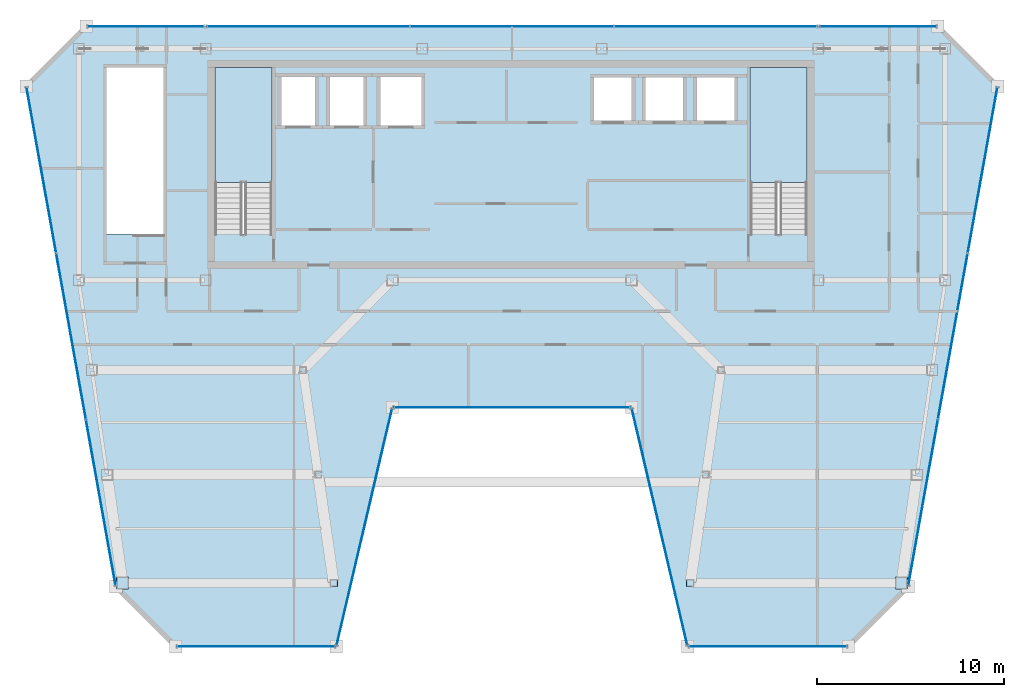
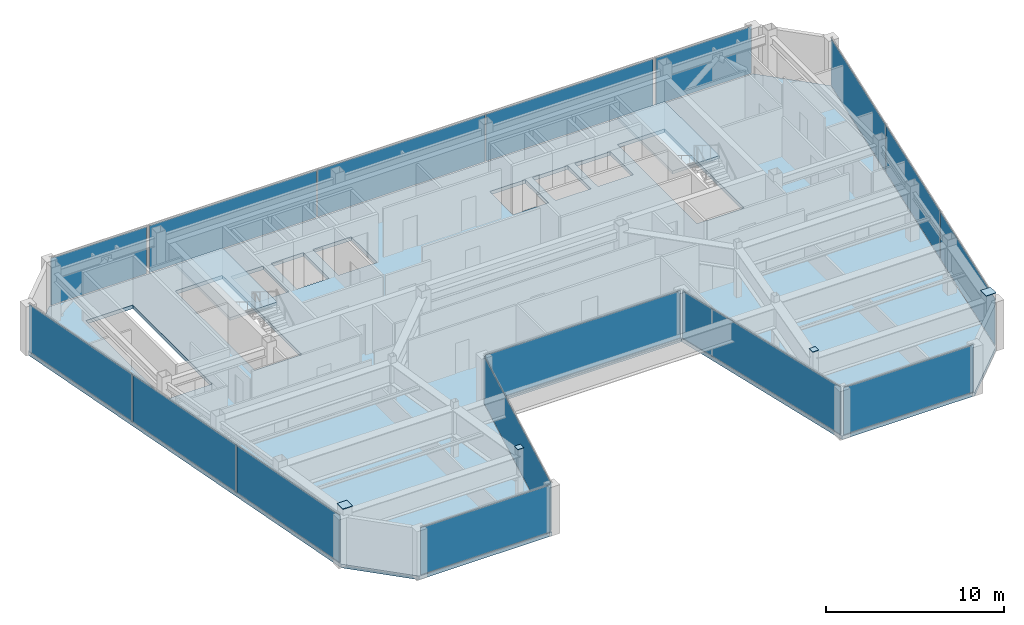
# One storey, part 23 of 30: 20 plates, 3 slabs, 12 elements without a shape of their own.
"""IFC4 building model written with IfcOpenShell, lengths in metres."""

from ifc_helpers import new_model, si_unit, direction, frame, origin, origin_2d, place, context, subcontext, project, spatial, polyline, rectangle, outline, extrude, material, layer, layer_set, type_object, element, aggregate, save


model = new_model("IFC4")

# Units and contexts
model_context = context("Model", 3, precision=1e-05, world=origin(), true_north=direction((0.0, 1.0)))
body_context = subcontext(model_context, "Body", "Model", "MODEL_VIEW")
ifc_project = project(units=[si_unit("LENGTHUNIT", "METRE"), si_unit("AREAUNIT", "SQUARE_METRE"), si_unit("VOLUMEUNIT", "CUBIC_METRE"), si_unit("PLANEANGLEUNIT", "RADIAN"), si_unit("MASSUNIT", "GRAM", prefix="KILO")], contexts=[model_context])

# Site, building, storey
site_placement = place(None, origin())
site = spatial("IfcSite", under=ifc_project, at=site_placement, CompositionType="ELEMENT")
building_placement = place(site_placement, origin())
building = spatial("IfcBuilding", under=site, at=building_placement, Name="Saevonmaru Cultural Tower", CompositionType="ELEMENT")
storey_placement = place(building_placement, frame((0.0, 0.0, 272.39990234375)))
storey = spatial("IfcBuildingStorey", under=building, at=storey_placement, Name="L64", CompositionType="ELEMENT", Elevation=272.39990234375)

# Plates
ifc_material_1 = material(Name="Steel HSA600 (600 MPa)", Category="steel")
ifc_layer_1 = layer(ifc_material_1, 0.0400390625, Name="Steel HSA600 (600 MPa)")
ifc_layer_set_1 = layer_set([ifc_layer_1], Name="Steel HSA600 (600 MPa)")
plate_type_1 = type_object("IfcPlateType", Name="PL-CAP-350", PredefinedType="USERDEFINED", material=ifc_layer_set_1)
for number, where, z_axis, x_axis, name in (
    (1, (39.5458984375, 26.199951171875, 3.795166015625), (0.0, 0.0, 1.0), (1.0, 0.0, 0.0), "Column head cap plate TC-EI-Y262 L64"),
    (2, (20.4541015625, 26.199951171875, 3.795166015625), (0.0, 0.0, 1.0), (1.0, 0.0, 0.0), "Column head cap plate TC-WI-Y262 L64"),
):
    element("IfcPlate", number, at=place(storey_placement, frame(where, z_axis=z_axis, x_axis=x_axis)), inside=storey, type_object=plate_type_1, Name=name, ObjectType="CAP_PLATE", PredefinedType="USERDEFINED", context=body_context, shape_type="SweptSolid", body=[
        extrude(rectangle(XDim=0.389892578125, YDim=0.389892578125, at=origin_2d()), origin(), (0.0, 0.0, 1.0), 0.0400390625),
    ])
ifc_layer_2 = layer(ifc_material_1, 0.0400390625, Name="Steel HSA600 (600 MPa)")
ifc_layer_set_2 = layer_set([ifc_layer_2], Name="Steel HSA600 (600 MPa)")
plate_type_2 = type_object("IfcPlateType", Name="PL-CAP-600", PredefinedType="USERDEFINED", material=ifc_layer_set_2)
for number, where, z_axis, x_axis, name in (
    (3, (50.845947265625, 26.199951171875, 3.795166015625), (0.0, 0.0, 1.0), (1.0, 0.0, 0.0), "Column head cap plate TC-EO-Y262 L64"),
    (4, (9.154052734375, 26.199951171875, 3.795166015625), (0.0, 0.0, 1.0), (1.0, 0.0, 0.0), "Column head cap plate TC-WO-Y262 L64"),
):
    element("IfcPlate", number, at=place(storey_placement, frame(where, z_axis=z_axis, x_axis=x_axis)), inside=storey, type_object=plate_type_2, Name=name, ObjectType="CAP_PLATE", PredefinedType="USERDEFINED", context=body_context, shape_type="SweptSolid", body=[
        extrude(rectangle(XDim=0.639892578125, YDim=0.639892578125, at=origin_2d()), origin(), (0.0, 0.0, 1.0), 0.0400390625),
    ])

# Curtain wall, plate
ifc_material_2 = material(Name="Satin Bronze Anodised Aluminium", Category="aluminium")
curtain_wall_type = type_object("IfcCurtainWallType", Name="CW-TYP-B", PredefinedType="NOTDEFINED", material=ifc_material_2)
curtain_wall_1_placement = place(storey_placement, origin())
curtain_wall_1 = element("IfcCurtainWall", 5, at=curtain_wall_1_placement, inside=storey, type_object=curtain_wall_type, Name="L64 Unitised Curtain Wall E2", PredefinedType="NOTDEFINED")
ifc_material_3 = material(Name="Triple Silver Low-E Insulating Glass", Category="glass")
ifc_layer_3 = layer(ifc_material_3, 0.035888671875, Name="Triple Silver Low-E Insulating Glass")
ifc_layer_set_3 = layer_set([ifc_layer_3], Name="Triple Silver Low-E Insulating Glass")
plate_type_3 = type_object("IfcPlateType", Name="PN-GLZ-IGU", PredefinedType="CURTAIN_PANEL", material=ifc_layer_set_3)
plate_1_placement = place(storey_placement, frame((16.295654296875, 22.800048828125, 0.06689453125), z_axis=(0.0, 0.0, 1.0), x_axis=(1.0, 0.0, 0.0)))
plate_1 = element("IfcPlate", 6, at=plate_1_placement, type_object=plate_type_3, Name="CW-TW-L64-E2 panel 1.1", PredefinedType="CURTAIN_PANEL", context=body_context, shape_type="SweptSolid", body=[
    extrude(rectangle(XDim=8.410888671875, YDim=0.035888671875, at=origin_2d()), origin(), (0.0, 0.0, 1.0), 3.216064453125),
])
aggregate(curtain_wall_1, [plate_1])

curtain_wall_2_placement = place(storey_placement, origin())
curtain_wall_2 = element("IfcCurtainWall", 7, at=curtain_wall_2_placement, inside=storey, type_object=curtain_wall_type, Name="L64 Unitised Curtain Wall E3", PredefinedType="NOTDEFINED")
plate_2_placement = place(storey_placement, frame((22.095703125, 29.199951171875, 0.06689453125), z_axis=(0.0, 0.0, 1.0), x_axis=(0.228189509449, 0.973616735568, 0.0)))
plate_2 = element("IfcPlate", 8, at=plate_2_placement, type_object=plate_type_3, Name="CW-TW-L64-E3 panel 1.1", PredefinedType="CURTAIN_PANEL", context=body_context, shape_type="SweptSolid", body=[
    extrude(rectangle(XDim=12.9580078125, YDim=0.035888671875, at=origin_2d()), origin(), (0.0, 0.0, 1.0), 3.216064453125),
])
aggregate(curtain_wall_2, [plate_2])

curtain_wall_3_placement = place(storey_placement, origin())
curtain_wall_3 = element("IfcCurtainWall", 9, at=curtain_wall_3_placement, inside=storey, type_object=curtain_wall_type, Name="L64 Unitised Curtain Wall E4", PredefinedType="NOTDEFINED")
plate_3_placement = place(storey_placement, frame((30.0, 35.60009765625, 0.06689453125), z_axis=(0.0, 0.0, 1.0), x_axis=(1.0, 0.0, 0.0)))
plate_3 = element("IfcPlate", 10, at=plate_3_placement, type_object=plate_type_3, Name="CW-TW-L64-E4 panel 1.1", PredefinedType="CURTAIN_PANEL", context=body_context, shape_type="SweptSolid", body=[
    extrude(rectangle(XDim=12.619873046875, YDim=0.035888671875, at=origin_2d()), origin(), (0.0, 0.0, 1.0), 3.216064453125),
])
aggregate(curtain_wall_3, [plate_3])

curtain_wall_4_placement = place(storey_placement, origin())
curtain_wall_4 = element("IfcCurtainWall", 11, at=curtain_wall_4_placement, inside=storey, type_object=curtain_wall_type, Name="L64 Unitised Curtain Wall E5", PredefinedType="NOTDEFINED")
plate_4_placement = place(storey_placement, frame((37.904296875, 29.199951171875, 0.06689453125), z_axis=(0.0, 0.0, 1.0), x_axis=(0.228189509449, -0.973616735568, 0.0)))
plate_4 = element("IfcPlate", 12, at=plate_4_placement, type_object=plate_type_3, Name="CW-TW-L64-E5 panel 1.1", PredefinedType="CURTAIN_PANEL", context=body_context, shape_type="SweptSolid", body=[
    extrude(rectangle(XDim=12.9580078125, YDim=0.035888671875, at=origin_2d()), origin(), (0.0, 0.0, 1.0), 3.216064453125),
])
aggregate(curtain_wall_4, [plate_4])

curtain_wall_5_placement = place(storey_placement, origin())
curtain_wall_5 = element("IfcCurtainWall", 13, at=curtain_wall_5_placement, inside=storey, type_object=curtain_wall_type, Name="L64 Unitised Curtain Wall E6", PredefinedType="NOTDEFINED")
plate_5_placement = place(storey_placement, frame((43.704345703125, 22.800048828125, 0.06689453125), z_axis=(0.0, 0.0, 1.0), x_axis=(1.0, 0.0, 0.0)))
plate_5 = element("IfcPlate", 14, at=plate_5_placement, type_object=plate_type_3, Name="CW-TW-L64-E6 panel 1.1", PredefinedType="CURTAIN_PANEL", context=body_context, shape_type="SweptSolid", body=[
    extrude(rectangle(XDim=8.410888671875, YDim=0.035888671875, at=origin_2d()), origin(), (0.0, 0.0, 1.0), 3.216064453125),
])
aggregate(curtain_wall_5, [plate_5])

# Curtain wall, plates
curtain_wall_6_placement = place(storey_placement, origin())
curtain_wall_6 = element("IfcCurtainWall", 15, at=curtain_wall_6_placement, inside=storey, type_object=curtain_wall_type, Name="L64 Unitised Curtain Wall E8", PredefinedType="NOTDEFINED")
plate_6_placement = place(storey_placement, frame((52.0107421875, 30.506103515625, 0.06689453125), z_axis=(0.0, 0.0, 1.0), x_axis=(0.176140740755, 0.984364993001, 0.0)))
plate_6 = element("IfcPlate", 16, at=plate_6_placement, type_object=plate_type_3, Name="CW-TW-L64-E8 panel 1.1", PredefinedType="CURTAIN_PANEL", context=body_context, shape_type="SweptSolid", body=[
    extrude(rectangle(XDim=8.96630859375, YDim=0.035888671875, at=origin_2d()), origin(), (0.0, 0.0, 1.0), 3.216064453125),
])
plate_7_placement = place(storey_placement, frame((53.602294921875, 39.39990234375, 0.06689453125), z_axis=(0.0, 0.0, 1.0), x_axis=(0.176140740755, 0.984364993001, 0.0)))
plate_7 = element("IfcPlate", 17, at=plate_7_placement, type_object=plate_type_3, Name="CW-TW-L64-E8 panel 2.1", PredefinedType="CURTAIN_PANEL", context=body_context, shape_type="SweptSolid", body=[
    extrude(rectangle(XDim=8.96630859375, YDim=0.035888671875, at=origin_2d()), origin(), (0.0, 0.0, 1.0), 3.216064453125),
])
plate_8_placement = place(storey_placement, frame((55.193603515625, 48.2939453125, 0.06689453125), z_axis=(0.0, 0.0, 1.0), x_axis=(0.176140740755, 0.984364993001, 0.0)))
plate_8 = element("IfcPlate", 18, at=plate_8_placement, type_object=plate_type_3, Name="CW-TW-L64-E8 panel 3.1", PredefinedType="CURTAIN_PANEL", context=body_context, shape_type="SweptSolid", body=[
    extrude(rectangle(XDim=8.96630859375, YDim=0.035888671875, at=origin_2d()), origin(), (0.0, 0.0, 1.0), 3.216064453125),
])
aggregate(curtain_wall_6, [plate_6, plate_7, plate_8])

curtain_wall_7_placement = place(storey_placement, origin())
curtain_wall_7 = element("IfcCurtainWall", 19, at=curtain_wall_7_placement, inside=storey, type_object=curtain_wall_type, Name="L64 North Spine Unitised Curtain Wall E10B", PredefinedType="NOTDEFINED")
plate_9_placement = place(storey_placement, frame((40.893310546875, 56.0, 0.06689453125), z_axis=(0.0, 0.0, 1.0), x_axis=(-1.0, 0.0, 0.0)))
plate_9 = element("IfcPlate", 20, at=plate_9_placement, type_object=plate_type_3, Name="CW-TW-L64-E10B panel 1.1", PredefinedType="CURTAIN_PANEL", context=body_context, shape_type="SweptSolid", body=[
    extrude(rectangle(XDim=10.82421875, YDim=0.035888671875, at=origin_2d()), origin(), (0.0, 0.0, 1.0), 3.216064453125),
])
plate_10_placement = place(storey_placement, frame((30.0, 56.0, 0.06689453125), z_axis=(0.0, 0.0, 1.0), x_axis=(-1.0, 0.0, 0.0)))
plate_10 = element("IfcPlate", 21, at=plate_10_placement, type_object=plate_type_3, Name="CW-TW-L64-E10B panel 2.1", PredefinedType="CURTAIN_PANEL", context=body_context, shape_type="SweptSolid", body=[
    extrude(rectangle(XDim=10.82421875, YDim=0.035888671875, at=origin_2d()), origin(), (0.0, 0.0, 1.0), 3.216064453125),
])
plate_11_placement = place(storey_placement, frame((19.106689453125, 56.0, 0.06689453125), z_axis=(0.0, 0.0, 1.0), x_axis=(-1.0, 0.0, 0.0)))
plate_11 = element("IfcPlate", 22, at=plate_11_placement, type_object=plate_type_3, Name="CW-TW-L64-E10B panel 3.1", PredefinedType="CURTAIN_PANEL", context=body_context, shape_type="SweptSolid", body=[
    extrude(rectangle(XDim=10.82421875, YDim=0.035888671875, at=origin_2d()), origin(), (0.0, 0.0, 1.0), 3.216064453125),
])
aggregate(curtain_wall_7, [plate_9, plate_10, plate_11])

curtain_wall_8_placement = place(storey_placement, origin())
curtain_wall_8 = element("IfcCurtainWall", 23, at=curtain_wall_8_placement, inside=storey, type_object=curtain_wall_type, Name="L64 Unitised Curtain Wall E12", PredefinedType="NOTDEFINED")
plate_12_placement = place(storey_placement, frame((4.806396484375, 48.2939453125, 0.06689453125), z_axis=(0.0, 0.0, 1.0), x_axis=(0.176140740755, -0.984364993001, 0.0)))
plate_12 = element("IfcPlate", 24, at=plate_12_placement, type_object=plate_type_3, Name="CW-TW-L64-E12 panel 1.1", PredefinedType="CURTAIN_PANEL", context=body_context, shape_type="SweptSolid", body=[
    extrude(rectangle(XDim=8.96630859375, YDim=0.035888671875, at=origin_2d()), origin(), (0.0, 0.0, 1.0), 3.216064453125),
])
plate_13_placement = place(storey_placement, frame((6.397705078125, 39.39990234375, 0.06689453125), z_axis=(0.0, 0.0, 1.0), x_axis=(0.176140740755, -0.984364993001, 0.0)))
plate_13 = element("IfcPlate", 25, at=plate_13_placement, type_object=plate_type_3, Name="CW-TW-L64-E12 panel 2.1", PredefinedType="CURTAIN_PANEL", context=body_context, shape_type="SweptSolid", body=[
    extrude(rectangle(XDim=8.96630859375, YDim=0.035888671875, at=origin_2d()), origin(), (0.0, 0.0, 1.0), 3.216064453125),
])
plate_14_placement = place(storey_placement, frame((7.9892578125, 30.506103515625, 0.06689453125), z_axis=(0.0, 0.0, 1.0), x_axis=(0.176140740755, -0.984364993001, 0.0)))
plate_14 = element("IfcPlate", 26, at=plate_14_placement, type_object=plate_type_3, Name="CW-TW-L64-E12 panel 3.1", PredefinedType="CURTAIN_PANEL", context=body_context, shape_type="SweptSolid", body=[
    extrude(rectangle(XDim=8.96630859375, YDim=0.035888671875, at=origin_2d()), origin(), (0.0, 0.0, 1.0), 3.216064453125),
])
aggregate(curtain_wall_8, [plate_12, plate_13, plate_14])

# Curtain wall, plate
curtain_wall_9_placement = place(storey_placement, origin())
curtain_wall_9 = element("IfcCurtainWall", 27, at=curtain_wall_9_placement, inside=storey, type_object=curtain_wall_type, Name="L64 East Braced Bay Spandrel Curtain Wall E10A", PredefinedType="NOTDEFINED")
ifc_material_4 = material(Name="Insulated Satin Bronze Aluminium Spandrel Panel", Category="aluminium")
ifc_layer_4 = layer(ifc_material_4, 0.0400390625, Name="Insulated Satin Bronze Aluminium Spandrel Panel")
ifc_layer_set_4 = layer_set([ifc_layer_4], Name="Insulated Satin Bronze Aluminium Spandrel Panel")
plate_type_4 = type_object("IfcPlateType", Name="PN-SPANDREL-BRONZE", PredefinedType="CURTAIN_PANEL", material=ifc_layer_set_4)
plate_15_placement = place(storey_placement, frame((49.60009765625, 56.0, 0.06689453125), z_axis=(0.0, 0.0, 1.0), x_axis=(-1.0, 0.0, 0.0)))
plate_15 = element("IfcPlate", 28, at=plate_15_placement, type_object=plate_type_4, Name="CW-TW-L64-E10A panel 1.1", PredefinedType="CURTAIN_PANEL", context=body_context, shape_type="SweptSolid", body=[
    extrude(rectangle(XDim=6.2109375, YDim=0.035888671875, at=origin_2d()), origin(), (0.0, 0.0, 1.0), 3.216064453125),
])
aggregate(curtain_wall_9, [plate_15])

curtain_wall_10_placement = place(storey_placement, origin())
curtain_wall_10 = element("IfcCurtainWall", 29, at=curtain_wall_10_placement, inside=storey, type_object=curtain_wall_type, Name="L64 West Braced Bay Spandrel Curtain Wall E10C", PredefinedType="NOTDEFINED")
plate_16_placement = place(storey_placement, frame((10.39990234375, 56.0, 0.06689453125), z_axis=(0.0, 0.0, 1.0), x_axis=(-1.0, 0.0, 0.0)))
plate_16 = element("IfcPlate", 30, at=plate_16_placement, type_object=plate_type_4, Name="CW-TW-L64-E10C panel 1.1", PredefinedType="CURTAIN_PANEL", context=body_context, shape_type="SweptSolid", body=[
    extrude(rectangle(XDim=6.2109375, YDim=0.035888671875, at=origin_2d()), origin(), (0.0, 0.0, 1.0), 3.216064453125),
])
aggregate(curtain_wall_10, [plate_16])

# Slab
ifc_material_5 = material(Name="Concrete C40/50", Category="concrete")
ifc_layer_5 = layer(ifc_material_5, 0.25, Name="Concrete C40/50")
ifc_layer_set_5 = layer_set([ifc_layer_5], Name="Concrete C40/50")
slab_type_1 = type_object("IfcSlabType", Name="SL-FLR-250", PredefinedType="FLOOR", material=ifc_layer_set_5)
slab_1_placement = place(storey_placement, frame((0.0, 0.0, -0.25)))
element("IfcSlab", 31, at=slab_1_placement, inside=storey, type_object=slab_type_1, Name="L64 Tower Structural Floor Slab", PredefinedType="FLOOR", context=body_context, shape_type="SweptSolid", body=[
    extrude(outline(polyline([(8.795654296875, 26.0), (11.99560546875, 22.800048828125), (20.595703125, 22.800048828125), (23.595703125, 35.60009765625), (36.404296875, 35.60009765625), (39.404296875, 22.800048828125), (48.00439453125, 22.800048828125), (51.204345703125, 26.0), (56.0, 52.800048828125), (52.800048828125, 56.0), (7.199951171875, 56.0), (4.0, 52.800048828125), (8.795654296875, 26.0)]), holes=[polyline([(45.800048828125, 53.800048828125), (45.800048828125, 44.875), (42.75, 44.875), (42.75, 53.800048828125), (45.800048828125, 53.800048828125)]), polyline([(39.75, 50.800048828125), (39.75, 53.39990234375), (42.050048828125, 53.39990234375), (42.050048828125, 50.800048828125), (39.75, 50.800048828125)]), polyline([(37.0, 50.800048828125), (37.0, 53.39990234375), (39.300048828125, 53.39990234375), (39.300048828125, 50.800048828125), (37.0, 50.800048828125)]), polyline([(36.550048828125, 50.800048828125), (34.25, 50.800048828125), (34.25, 53.39990234375), (36.550048828125, 53.39990234375), (36.550048828125, 50.800048828125)]), polyline([(25.300048828125, 50.550048828125), (22.800048828125, 50.550048828125), (22.800048828125, 53.449951171875), (25.300048828125, 53.449951171875), (25.300048828125, 50.550048828125)]), polyline([(22.199951171875, 50.550048828125), (20.10009765625, 50.550048828125), (20.10009765625, 53.449951171875), (22.199951171875, 53.449951171875), (22.199951171875, 50.550048828125)]), polyline([(19.60009765625, 50.550048828125), (17.5, 50.550048828125), (17.5, 53.449951171875), (19.60009765625, 53.449951171875), (19.60009765625, 50.550048828125)]), polyline([(17.14990234375, 53.800048828125), (17.14990234375, 44.875), (14.10009765625, 44.875), (14.10009765625, 53.800048828125), (17.14990234375, 53.800048828125)]), polyline([(11.35009765625, 53.800048828125), (11.35009765625, 44.875), (8.300048828125, 44.875), (8.300048828125, 53.800048828125), (11.35009765625, 53.800048828125)])]), origin(), (0.0, 0.0, 1.0), 0.25),
])

# Stair, slab
stair_type = type_object("IfcStairType", Name="STR-DOGLEG-RC", PredefinedType="HALF_TURN_STAIR", material=ifc_material_5)
stair_1_placement = place(storey_placement, origin())
stair_1 = element("IfcStair", 32, at=stair_1_placement, inside=storey, type_object=stair_type, Name="L64 Protected exit stair ST-1", PredefinedType="HALF_TURN_STAIR")
ifc_layer_6 = layer(ifc_material_5, 0.199951171875, Name="Concrete C40/50")
ifc_layer_set_6 = layer_set([ifc_layer_6], Name="Concrete C40/50")
slab_type_2 = type_object("IfcSlabType", Name="SL-STAIR-LANDING", PredefinedType="LANDING", material=ifc_layer_set_6)
slab_2_placement = place(storey_placement, frame((0.0, 0.0, 1.7001953125)))
slab_2 = element("IfcSlab", 33, at=slab_2_placement, type_object=slab_type_2, Name="ST-1-L64 landing 1", PredefinedType="LANDING", context=body_context, shape_type="SweptSolid", body=[
    extrude(outline(polyline([(17.14990234375, 47.64990234375), (17.14990234375, 53.800048828125), (14.10009765625, 53.800048828125), (14.10009765625, 47.64990234375), (17.14990234375, 47.64990234375)])), origin(), (0.0, 0.0, 1.0), 0.199951171875),
])
aggregate(stair_1, [slab_2])

stair_2_placement = place(storey_placement, origin())
stair_2 = element("IfcStair", 34, at=stair_2_placement, inside=storey, type_object=stair_type, Name="L64 Protected exit stair ST-2", PredefinedType="HALF_TURN_STAIR")
slab_3_placement = place(storey_placement, frame((0.0, 0.0, 1.7001953125)))
slab_3 = element("IfcSlab", 35, at=slab_3_placement, type_object=slab_type_2, Name="ST-2-L64 landing 1", PredefinedType="LANDING", context=body_context, shape_type="SweptSolid", body=[
    extrude(outline(polyline([(45.800048828125, 47.64990234375), (45.800048828125, 53.800048828125), (42.75, 53.800048828125), (42.75, 47.64990234375), (45.800048828125, 47.64990234375)])), origin(), (0.0, 0.0, 1.0), 0.199951171875),
])
aggregate(stair_2, [slab_3])

save(model, "model.ifc")
